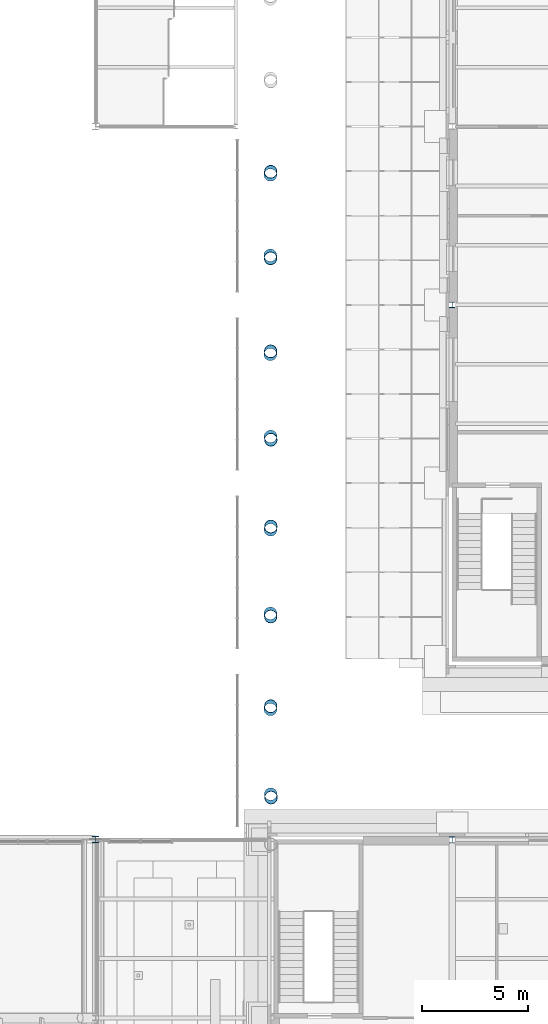
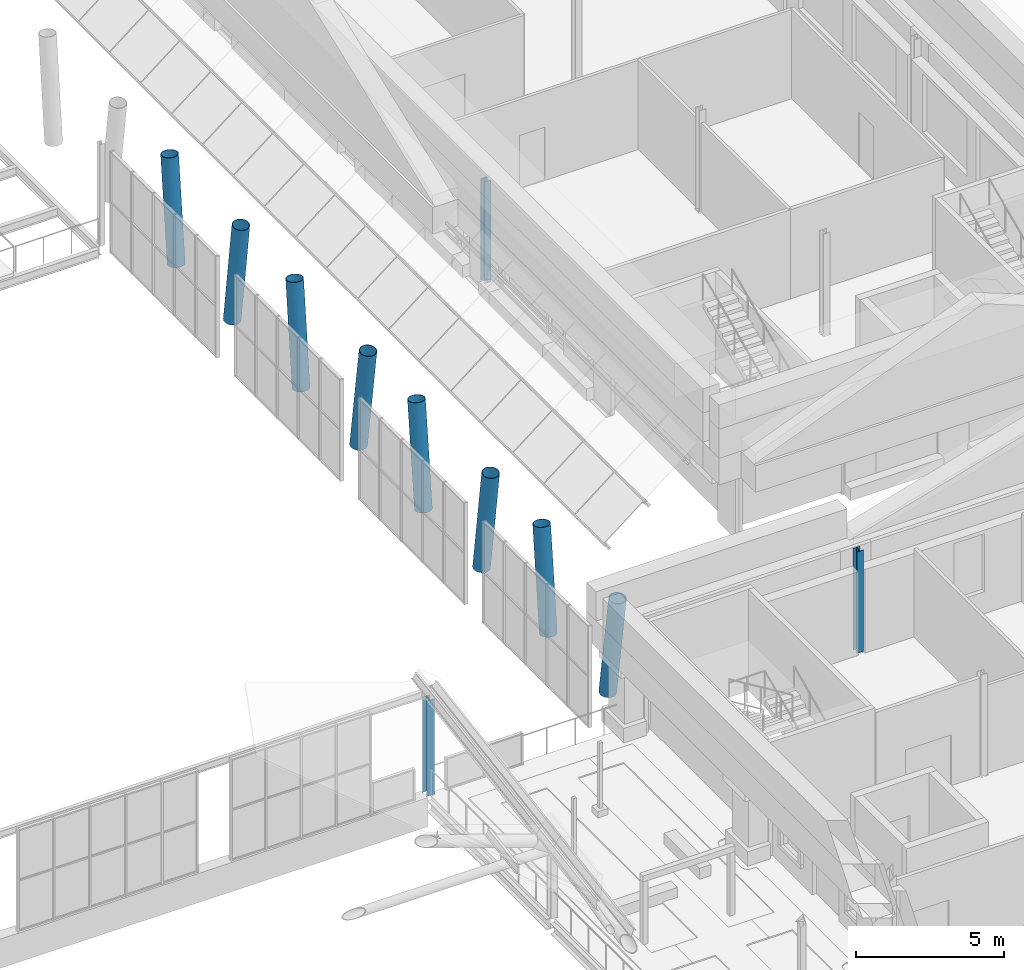
# One storey, part 7 of 76: 11 columns.
"""IFC4 building model written with IfcOpenShell, lengths in metres."""

import ifcopenshell
import ifcopenshell.guid

model = None  # the IFC model being written
_history = None  # IfcOwnerHistory: only IFC2X3 demands one
_inside = {}  # id of a spatial element -> (the spatial element, [elements in it])
_under = {}  # id of a project, library or spatial element -> (it, [spatial elements below it])
_declared = {}  # id of a project -> (the project, [libraries it declares])
_typed = {}  # id of a type object -> (the type object, [elements of that type])
_made_of = {}  # id of a material, layer set ... -> (it, [elements and type objects made of it])


def new_model(schema):
    """Start an empty IFC model of exactly this schema.

    Asked for "IFC4X3", IfcOpenShell would pick the latest addendum, in which some entities
    have other attributes; the version numbers below select the first issue.
    IFC2X3 requires an IfcOwnerHistory on every rooted entity: one is made here for all.
    """
    global model, _history
    if schema == "IFC4X3":
        model = ifcopenshell.file(schema_version=(4, 3, 0, 0))
    else:
        model = ifcopenshell.file(schema=schema)
    _inside.clear()
    _under.clear()
    _declared.clear()
    _typed.clear()
    _made_of.clear()
    _history = None
    if model.schema == "IFC2X3":
        org = make("IfcOrganization", Name="unknown")
        user = make(
            "IfcPersonAndOrganization",
            ThePerson=make("IfcPerson", FamilyName="unknown"),
            TheOrganization=org,
        )
        app = make(
            "IfcApplication",
            ApplicationDeveloper=org,
            Version="unknown",
            ApplicationFullName="unknown",
            ApplicationIdentifier="unknown",
        )
        _history = make(
            "IfcOwnerHistory",
            OwningUser=user,
            OwningApplication=app,
            ChangeAction="ADDED",
            CreationDate=0,
        )
    return model


def make(cls, **values):
    """One entity of the class cls with the attributes given. An attribute that is None is left unset."""
    return model.create_entity(
        cls, **{name: value for name, value in values.items() if value is not None}
    )


def rooted(cls, **values):
    """An entity with a GlobalId (a new one), such as an element, a storey or a relation."""
    return make(cls, GlobalId=ifcopenshell.guid.new(), OwnerHistory=_history, **values)


def si_unit(unit_type, name, prefix=None):
    """IfcSIUnit, for example si_unit("LENGTHUNIT", "METRE", prefix="MILLI")."""
    return make("IfcSIUnit", UnitType=unit_type, Prefix=prefix, Name=name)


def assignment(units):
    """IfcUnitAssignment: the units of a project."""
    return None if units is None else make("IfcUnitAssignment", Units=units)


def point(xyz):
    """IfcCartesianPoint."""
    return None if xyz is None else make("IfcCartesianPoint", Coordinates=xyz)


def direction(xyz):
    """IfcDirection."""
    return None if xyz is None else make("IfcDirection", DirectionRatios=xyz)


def frame(location, z_axis=None, x_axis=None):
    """IfcAxis2Placement3D, a coordinate frame: its origin and axes. An axis left out is left unset."""
    return make(
        "IfcAxis2Placement3D",
        Location=point(location),
        Axis=direction(z_axis),
        RefDirection=direction(x_axis),
    )


def frame_2d(location, x_axis=None):
    """IfcAxis2Placement2D, a coordinate frame in the plane: its origin and x axis."""
    return make(
        "IfcAxis2Placement2D", Location=point(location), RefDirection=direction(x_axis)
    )


def origin():
    """The frame at (0, 0, 0) with its axes left unset."""
    return frame((0.0, 0.0, 0.0))


def origin_2d():
    """The frame at (0, 0) in the plane with its x axis left unset."""
    return frame_2d((0.0, 0.0))


def place(relative_to, where):
    """IfcLocalPlacement: puts the frame where relative to a parent placement (None: the world)."""
    return make(
        "IfcLocalPlacement", PlacementRelTo=relative_to, RelativePlacement=where
    )


def context(
    kind, dimensions, precision=None, world=None, true_north=None, identifier=None
):
    """IfcGeometricRepresentationContext, for example the 3D "Model" context."""
    return make(
        "IfcGeometricRepresentationContext",
        ContextIdentifier=identifier,
        ContextType=kind,
        CoordinateSpaceDimension=dimensions,
        Precision=precision,
        WorldCoordinateSystem=world,
        TrueNorth=true_north,
    )


def subcontext(parent, identifier, kind, view, scale=None):
    """IfcGeometricRepresentationSubContext, for example "Body" below "Model"."""
    return make(
        "IfcGeometricRepresentationSubContext",
        ContextIdentifier=identifier,
        ContextType=kind,
        ParentContext=parent,
        TargetScale=scale,
        TargetView=view,
    )


def project(units=None, contexts=None):
    """IfcProject with its units and contexts."""
    return rooted(
        "IfcProject",
        Name="project",
        RepresentationContexts=contexts,
        UnitsInContext=assignment(units),
    )


def spatial(cls, under=None, at=None, **own):
    """A site, building, storey or space (cls), placed at a placement, below another one or the project."""
    s = rooted(cls, ObjectPlacement=at, **own)
    if under is not None:
        _under.setdefault(under.id(), (under, []))[1].append(s)
    return s


def profile(cls, at=None, kind="AREA", **sizes):
    """A parametric profile (cls). Its sizes go by their IFC names, for example OverallWidth=200.0."""
    return make(cls, ProfileType=kind, Position=at, **sizes)


def hollow_circle(**sizes):
    """IfcCircleHollowProfileDef."""
    return profile("IfcCircleHollowProfileDef", **sizes)


def i_section(**sizes):
    """IfcIShapeProfileDef."""
    return profile("IfcIShapeProfileDef", **sizes)


def extrude(swept, where, along, depth):
    """IfcExtrudedAreaSolid: the profile swept, set in the frame where, extruded along a direction by depth."""
    return make(
        "IfcExtrudedAreaSolid",
        SweptArea=swept,
        Position=where,
        ExtrudedDirection=direction(along),
        Depth=depth,
    )


def shape(context_of_items, identifier, shape_type, items):
    """IfcShapeRepresentation: the items that make up one representation, for example the "Body"."""
    return make(
        "IfcShapeRepresentation",
        ContextOfItems=context_of_items,
        RepresentationIdentifier=identifier,
        RepresentationType=shape_type,
        Items=items,
    )


def material(Name=None, Category=None):
    """IfcMaterial."""
    return make("IfcMaterial", Name=Name, Category=Category)


def material_profile(
    of_material, cross_section, Name=None, Category=None, Priority=None
):
    """IfcMaterialProfile: a cross section and its material."""
    return make(
        "IfcMaterialProfile",
        Name=Name,
        Material=of_material,
        Profile=cross_section,
        Priority=Priority,
        Category=Category,
    )


def profile_set(profiles, Name=None, composite=None):
    """IfcMaterialProfileSet."""
    return make(
        "IfcMaterialProfileSet",
        Name=Name,
        MaterialProfiles=profiles,
        CompositeProfile=composite,
    )


def made_of(thing, what):
    """Note that an element or type object is made of a material, layer set ...; save() writes the relation."""
    if what is not None:
        _made_of.setdefault(what.id(), (what, []))[1].append(thing)
    return thing


def type_object(cls, material=None, **own):
    """A type object (cls), such as IfcWallType, which elements share."""
    return made_of(rooted(cls, **own), material)


def element(
    cls,
    number,
    at=None,
    inside=None,
    cuts=None,
    type_object=None,
    material=None,
    context=None,
    identifier="Body",
    shape_type=None,
    held_by="IfcProductDefinitionShape",
    body=None,
    shapes=None,
    **own,
):
    """One element of the class cls, such as IfcWall. Its Tag is "e" and its number.

    at: its placement. inside: the storey or other place that contains it. cuts: it is an
    opening in that element (IfcRelVoidsElement). A single representation is given by context,
    identifier, shape_type and body (its items); several are given by shapes. held_by: the class
    of the entity that holds the representations. save() writes the other relations.
    """
    e = rooted(cls, Tag="e%d" % number, ObjectPlacement=at, **own)
    if body is not None:
        shapes = [shape(context, identifier, shape_type, body)]
    if shapes is not None:
        e.Representation = make(held_by, Representations=shapes)
    if inside is not None:
        _inside.setdefault(inside.id(), (inside, []))[1].append(e)
    if cuts is not None:
        rooted(
            "IfcRelVoidsElement", RelatingBuildingElement=cuts, RelatedOpeningElement=e
        )
    if type_object is not None:
        _typed.setdefault(type_object.id(), (type_object, []))[1].append(e)
    return made_of(e, material)


def aggregate(whole, parts):
    """IfcRelAggregates: a whole, such as a stair, and the parts it consists of."""
    return rooted("IfcRelAggregates", RelatingObject=whole, RelatedObjects=parts)


def save(model, path):
    """Write the relations noted so far, then the file.

    IfcRelAggregates (storeys below a building ...), IfcRelContainedInSpatialStructure (elements
    in a storey), IfcRelDefinesByType, IfcRelAssociatesMaterial and IfcRelDeclares: one each for
    every whole, place, type object, material and project.
    """
    for whole, parts in _under.values():
        aggregate(whole, parts)
    for where, things in _inside.values():
        rooted(
            "IfcRelContainedInSpatialStructure",
            RelatedElements=things,
            RelatingStructure=where,
        )
    for kind, things in _typed.values():
        rooted("IfcRelDefinesByType", RelatedObjects=things, RelatingType=kind)
    for what, things in _made_of.values():
        rooted("IfcRelAssociatesMaterial", RelatedObjects=things, RelatingMaterial=what)
    for by, libraries in _declared.values():
        rooted("IfcRelDeclares", RelatingContext=by, RelatedDefinitions=libraries)
    model.write(path)


model = new_model("IFC4")

# Units and contexts
model_context = context("Model", 3, precision=1e-05, world=origin(), true_north=direction((0.0, 1.0)))
body_context = subcontext(model_context, "Body", "Model", "MODEL_VIEW")
ifc_project = project(units=[si_unit("LENGTHUNIT", "METRE"), si_unit("AREAUNIT", "SQUARE_METRE"), si_unit("VOLUMEUNIT", "CUBIC_METRE"), si_unit("PLANEANGLEUNIT", "RADIAN"), si_unit("MASSUNIT", "GRAM", prefix="KILO")], contexts=[model_context])

# Site, building, storey
site_placement = place(None, origin())
site = spatial("IfcSite", under=ifc_project, at=site_placement, CompositionType="ELEMENT")
building_placement = place(site_placement, origin())
building = spatial("IfcBuilding", under=site, at=building_placement, Name="Sava Quay Ferry Terminal", CompositionType="ELEMENT")
storey_placement = place(building_placement, frame((0.0, 0.0, 10.800048828125)))
storey = spatial("IfcBuildingStorey", under=building, at=storey_placement, Name="L02", CompositionType="ELEMENT", Elevation=10.800048828125)

# Columns
ifc_material_1 = material(Name="Steel S355", Category="steel")
ifc_material_profile_1 = material_profile(ifc_material_1, i_section(OverallWidth=0.260009765625, OverallDepth=0.260009765625, WebThickness=0.010009765625, FlangeThickness=0.017578125, at=origin_2d()), Name="HE 260 B")
ifc_profile_set_1 = profile_set([ifc_material_profile_1], Name="Steel S355")
column_type_1 = type_object("IfcColumnType", Name="Column HE 260 B", PredefinedType="COLUMN", material=ifc_profile_set_1)
for number, where, z_axis, x_axis, name in (
    (1, (92.39990234375, 50.39990234375, 0.0), (0.0, 0.0, 1.0), (1.0, 0.0, 0.0), "Column L02 92.4/50.4"),
    (2, (92.39990234375, 75.60009765625, 0.0), (0.0, 0.0, 1.0), (1.0, 0.0, 0.0), "Column L02 92.4/75.6"),
):
    element("IfcColumn", number, at=place(storey_placement, frame(where, z_axis=z_axis, x_axis=x_axis)), inside=storey, type_object=column_type_1, Name=name, PredefinedType="COLUMN", context=body_context, shape_type="SweptSolid", body=[
        extrude(i_section(OverallWidth=0.260009765625, OverallDepth=0.260009765625, WebThickness=0.010009765625, FlangeThickness=0.017578125, at=origin_2d()), origin(), (0.0, 0.0, 1.0), 4.199951171875),
    ])
ifc_material_2 = material(Name="Steel S355", Category="steel")
ifc_material_profile_2 = material_profile(ifc_material_2, i_section(OverallWidth=0.300048828125, OverallDepth=0.300048828125, WebThickness=0.010986328125, FlangeThickness=0.01904296875, at=origin_2d()), Name="HE 300 B")
ifc_profile_set_2 = profile_set([ifc_material_profile_2], Name="Steel S355")
column_type_2 = type_object("IfcColumnType", Name="Column HE 300 B", PredefinedType="COLUMN", material=ifc_profile_set_2)
column_1_placement = place(storey_placement, frame((75.60009765625, 50.39990234375, 0.0), z_axis=(0.0, 0.0, 1.0), x_axis=(1.0, 0.0, 0.0)))
element("IfcColumn", 3, at=column_1_placement, inside=storey, type_object=column_type_2, Name="Column L02 75.6/50.4", PredefinedType="COLUMN", context=body_context, shape_type="SweptSolid", body=[
    extrude(i_section(OverallWidth=0.300048828125, OverallDepth=0.300048828125, WebThickness=0.010986328125, FlangeThickness=0.01904296875, at=origin_2d()), origin(), (0.0, 0.0, 1.0), 3.9345703125),
])
ifc_material_3 = material(Name="Steel S355", Category="steel")
ifc_material_profile_3 = material_profile(ifc_material_3, hollow_circle(Radius=0.304931640625, WallThickness=0.02001953125, at=origin_2d()), Name="CHS 610 x 20.0")
ifc_profile_set_3 = profile_set([ifc_material_profile_3], Name="Steel S355")
column_type_3 = type_object("IfcColumnType", Name="V column CHS 610x20", PredefinedType="COLUMN", material=ifc_profile_set_3)
column_2_placement = place(storey_placement, frame((83.84716796875, 52.539306640625, 0.0), z_axis=(0.012036191598, -0.135450347549, 0.990711024185), x_axis=(0.996075130263, 0.088511778157, 0.0)))
element("IfcColumn", 4, at=column_2_placement, inside=storey, type_object=column_type_3, Name="Departure hall V column D-VR0b part 3", PredefinedType="COLUMN", context=body_context, shape_type="SweptSolid", body=[
    extrude(hollow_circle(Radius=0.304931640625, WallThickness=0.02001953125, at=origin_2d()), origin(), (0.0, 0.0, 1.0), 4.2392578125),
])
for number, where, z_axis, x_axis, name in (
    (5, (83.83447265625, 56.543212890625, 0.0), (0.010955904333, 0.125992899832, 0.991970643392), (-0.996240588196, 0.086629616365, 0.0), "Departure hall V column D-VR1a part 3"),
    (6, (83.83447265625, 61.056884765625, 0.0), (0.01095582472, -0.126049646519, 0.991963435071), (0.996244007594, 0.086590284283, 0.0), "Departure hall V column D-VR1b part 3"),
):
    element("IfcColumn", number, at=place(storey_placement, frame(where, z_axis=z_axis, x_axis=x_axis)), inside=storey, type_object=column_type_3, Name=name, PredefinedType="COLUMN", context=body_context, shape_type="SweptSolid", body=[
        extrude(hollow_circle(Radius=0.304931640625, WallThickness=0.02001953125, at=origin_2d()), origin(), (0.0, 0.0, 1.0), 4.23388671875),
    ])
for number, where, z_axis, x_axis, name in (
    (7, (83.83984375, 65.005859375, 0.0), (0.011409621586, 0.131037775182, 0.991311717882), (-0.99623071841, 0.086743044083, 0.0), "Departure hall V column D-VR2a part 3"),
    (8, (83.83984375, 69.39404296875, 0.0), (0.011409621586, -0.131037775182, 0.991311717882), (0.99623071841, 0.086743044083, 0.0), "Departure hall V column D-VR2b part 3"),
):
    element("IfcColumn", number, at=place(storey_placement, frame(where, z_axis=z_axis, x_axis=x_axis)), inside=storey, type_object=column_type_3, Name=name, PredefinedType="COLUMN", context=body_context, shape_type="SweptSolid", body=[
        extrude(hollow_circle(Radius=0.304931640625, WallThickness=0.02001953125, at=origin_2d()), origin(), (0.0, 0.0, 1.0), 4.23681640625),
    ])
for number, where, z_axis, x_axis, name in (
    (9, (83.828369140625, 73.272705078125, 0.0), (0.010444415415, 0.120312741111, 0.992681096079), (-0.99625312834, 0.086485283563, 0.0), "Departure hall V column D-VR3a part 3"),
    (10, (83.828369140625, 77.92724609375, 0.0), (0.010444415415, -0.120312741111, 0.992681096079), (0.99625312834, 0.086485283563, 0.0), "Departure hall V column D-VR3b part 3"),
):
    element("IfcColumn", number, at=place(storey_placement, frame(where, z_axis=z_axis, x_axis=x_axis)), inside=storey, type_object=column_type_3, Name=name, PredefinedType="COLUMN", context=body_context, shape_type="SweptSolid", body=[
        extrude(hollow_circle(Radius=0.304931640625, WallThickness=0.02001953125, at=origin_2d()), origin(), (0.0, 0.0, 1.0), 4.23095703125),
    ])
column_3_placement = place(storey_placement, frame((83.833251953125, 81.728759765625, 0.0), z_axis=(0.010842160941, 0.12485786403, 0.992115397187), x_axis=(-0.996250941194, 0.086510474339, 0.0)))
element("IfcColumn", 11, at=column_3_placement, inside=storey, type_object=column_type_3, Name="Departure hall V column D-VR4a part 3", PredefinedType="COLUMN", context=body_context, shape_type="SweptSolid", body=[
    extrude(hollow_circle(Radius=0.304931640625, WallThickness=0.02001953125, at=origin_2d()), origin(), (0.0, 0.0, 1.0), 4.2333984375),
])

save(model, "model.ifc")
